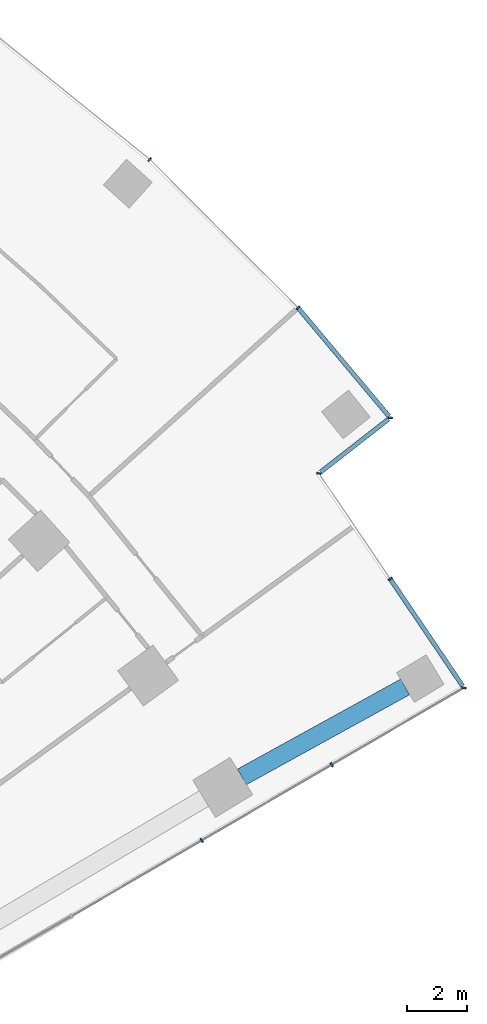
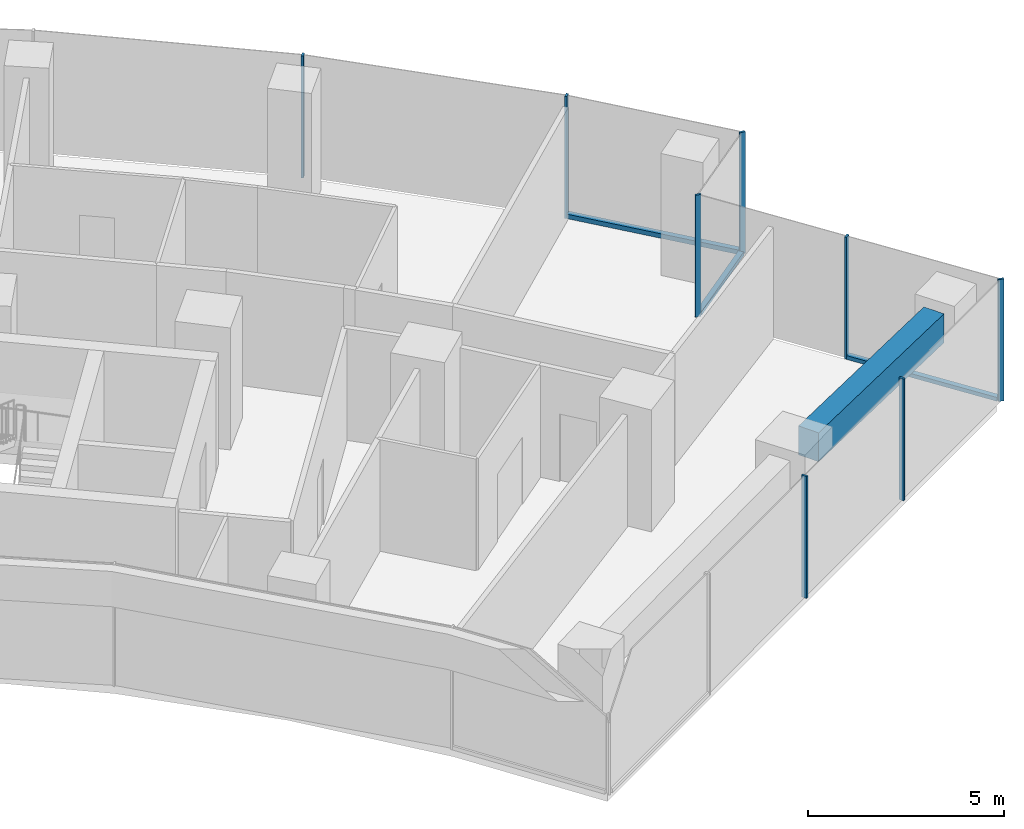
# One storey, part 10 of 21: 11 members, 1 beam, 4 elements without a shape of their own.
"""IFC4 building model written with IfcOpenShell, lengths in metres."""

from ifc_helpers import new_model, si_unit, direction, frame, origin, origin_2d, place, context, subcontext, project, spatial, rectangle, extrude, material, layer, layer_set, material_profile, profile_set, type_object, element, aggregate, save


model = new_model("IFC4")

# Units and contexts
model_context = context("Model", 3, precision=1e-05, world=origin(), true_north=direction((0.0, 1.0)))
body_context = subcontext(model_context, "Body", "Model", "MODEL_VIEW")
ifc_project = project(units=[si_unit("LENGTHUNIT", "METRE"), si_unit("AREAUNIT", "SQUARE_METRE"), si_unit("VOLUMEUNIT", "CUBIC_METRE"), si_unit("PLANEANGLEUNIT", "RADIAN"), si_unit("MASSUNIT", "GRAM", prefix="KILO")], contexts=[model_context])

# Site, building, storey
site_placement = place(None, origin())
site = spatial("IfcSite", under=ifc_project, at=site_placement, CompositionType="ELEMENT")
building_placement = place(site_placement, origin())
building = spatial("IfcBuilding", under=site, at=building_placement, Name="Stone Belt Terrace Tower", CompositionType="ELEMENT")
storey_placement = place(building_placement, frame((0.0, 0.0, 90.800048828125)))
storey = spatial("IfcBuildingStorey", under=building, at=storey_placement, Name="L21", CompositionType="ELEMENT", Elevation=90.800048828125)

# Curtain wall, members
ifc_material_1 = material(Name="Aluminium 6063-T6 anodised frame", Category="aluminium")
ifc_layer_1 = layer(ifc_material_1, 0.14990234375)
ifc_layer_set_1 = layer_set([ifc_layer_1], Name="CW-A unitised convex-face curtain wall")
curtain_wall_type_1 = type_object("IfcCurtainWallType", Name="CW-A unitised convex-face curtain wall", PredefinedType="NOTDEFINED", material=ifc_layer_set_1)
curtain_wall_1_placement = place(storey_placement, origin())
curtain_wall_1 = element("IfcCurtainWall", 1, at=curtain_wall_1_placement, inside=storey, type_object=curtain_wall_type_1, Name="CW-A convex face L21", PredefinedType="NOTDEFINED")
ifc_material_profile_1 = material_profile(ifc_material_1, rectangle(XDim=0.14990234375, YDim=0.06005859375, at=origin_2d()), Name="Aluminium 6063-T6 60x150")
ifc_profile_set_1 = profile_set([ifc_material_profile_1], Name="Aluminium 6063-T6 anodised frame")
member_type_1 = type_object("IfcMemberType", Name="CW-A mullion 60 x 150", PredefinedType="MULLION", material=ifc_profile_set_1)
member_1_placement = place(storey_placement, frame((52.539794921875, 40.89208984375, 0.0), z_axis=(0.0, 0.0, 1.0), x_axis=(-0.994464768622, 0.105070566623, 0.0)))
member_1 = element("IfcMember", 2, at=member_1_placement, type_object=member_type_1, Name="CW-A mullion 1", PredefinedType="MULLION", context=body_context, shape_type="SweptSolid", body=[
    extrude(rectangle(XDim=0.14990234375, YDim=0.06005859375, at=origin_2d()), origin(), (0.0, 0.0, 1.0), 3.800048828125),
])
member_2_placement = place(storey_placement, frame((49.474609375, 44.5478515625, 0.0), z_axis=(0.0, 0.0, 1.0), x_axis=(-0.737400080522, -0.675456231925, 0.0)))
member_2 = element("IfcMember", 3, at=member_2_placement, type_object=member_type_1, Name="CW-A mullion 2", PredefinedType="MULLION", context=body_context, shape_type="SweptSolid", body=[
    extrude(rectangle(XDim=0.14990234375, YDim=0.06005859375, at=origin_2d()), origin(), (0.0, 0.0, 1.0), 3.800048828125),
])
member_3_placement = place(storey_placement, frame((44.54736328125, 49.474853515625, 0.0), z_axis=(0.0, 0.0, 1.0), x_axis=(-0.669130606359, -0.743144825477, 0.0)))
member_3 = element("IfcMember", 4, at=member_3_placement, type_object=member_type_1, Name="CW-A mullion 3", PredefinedType="MULLION", context=body_context, shape_type="SweptSolid", body=[
    extrude(rectangle(XDim=0.14990234375, YDim=0.06005859375, at=origin_2d()), origin(), (0.0, 0.0, 1.0), 3.800048828125),
])
ifc_material_profile_2 = material_profile(ifc_material_1, rectangle(XDim=0.14990234375, YDim=0.139892578125, at=origin_2d()), Name="Aluminium 6063-T6 150x140")
ifc_profile_set_2 = profile_set([ifc_material_profile_2], Name="Aluminium 6063-T6 anodised frame")
member_type_2 = type_object("IfcMemberType", Name="CW-A transom 140 x 150", PredefinedType="USERDEFINED", material=ifc_profile_set_2)
member_4_placement = place(storey_placement, frame((52.49169921875, 40.949462890625, 0.070068359375), z_axis=(-0.642504178028, 0.766282181195, 0.0), x_axis=(-0.766282181195, -0.642504178028, 0.0)))
member_4 = element("IfcMember", 5, at=member_4_placement, type_object=member_type_2, Name="CW-A transom 1.1", ObjectType="TRANSOM", PredefinedType="USERDEFINED", context=body_context, shape_type="SweptSolid", body=[
    extrude(rectangle(XDim=0.14990234375, YDim=0.139892578125, at=origin_2d()), origin(), (0.0, 0.0, 1.0), 4.662841796875),
])
aggregate(curtain_wall_1, [member_1, member_2, member_3, member_4])

ifc_layer_2 = layer(ifc_material_1, 0.14990234375)
ifc_layer_set_2 = layer_set([ifc_layer_2], Name="CW-C stick curtain wall, horn ends and notches")
curtain_wall_type_2 = type_object("IfcCurtainWallType", Name="CW-C stick curtain wall, horn ends and notches", PredefinedType="NOTDEFINED", material=ifc_layer_set_2)
curtain_wall_2_placement = place(storey_placement, origin())
curtain_wall_2 = element("IfcCurtainWall", 6, at=curtain_wall_2_placement, inside=storey, type_object=curtain_wall_type_2, Name="CW-C end face L21", PredefinedType="NOTDEFINED")
ifc_material_profile_3 = material_profile(ifc_material_1, rectangle(XDim=0.14990234375, YDim=0.06005859375, at=origin_2d()), Name="Aluminium 6063-T6 60x150")
ifc_profile_set_3 = profile_set([ifc_material_profile_3], Name="Aluminium 6063-T6 anodised frame")
member_type_3 = type_object("IfcMemberType", Name="CW-C mullion 60 x 150", PredefinedType="MULLION", material=ifc_profile_set_3)
member_5_placement = place(storey_placement, frame((46.2744140625, 26.85009765625, 0.0), z_axis=(0.0, 0.0, 1.0), x_axis=(-0.503080901861, 0.864239322284, 0.0)))
member_5 = element("IfcMember", 7, at=member_5_placement, type_object=member_type_3, Name="CW-C mullion 3", PredefinedType="MULLION", context=body_context, shape_type="SweptSolid", body=[
    extrude(rectangle(XDim=0.14990234375, YDim=0.06005859375, at=origin_2d()), origin(), (0.0, 0.0, 1.0), 3.800048828125),
])
member_6_placement = place(storey_placement, frame((50.595703125, 29.365478515625, 0.0), z_axis=(0.0, 0.0, 1.0), x_axis=(-0.503080901861, 0.864239322284, 0.0)))
member_6 = element("IfcMember", 8, at=member_6_placement, type_object=member_type_3, Name="CW-C mullion 4", PredefinedType="MULLION", context=body_context, shape_type="SweptSolid", body=[
    extrude(rectangle(XDim=0.14990234375, YDim=0.06005859375, at=origin_2d()), origin(), (0.0, 0.0, 1.0), 3.800048828125),
])
aggregate(curtain_wall_2, [member_5, member_6])

curtain_wall_3_placement = place(storey_placement, origin())
curtain_wall_3 = element("IfcCurtainWall", 9, at=curtain_wall_3_placement, inside=storey, type_object=curtain_wall_type_2, Name="CW-C notch face L21", PredefinedType="NOTDEFINED")
member_7_placement = place(storey_placement, frame((54.986328125, 31.921142578125, 0.0), z_axis=(0.0, 0.0, 1.0), x_axis=(-0.974926991266, 0.222524968715, 0.0)))
member_7 = element("IfcMember", 10, at=member_7_placement, type_object=member_type_3, Name="CW-C mullion 1", PredefinedType="MULLION", context=body_context, shape_type="SweptSolid", body=[
    extrude(rectangle(XDim=0.14990234375, YDim=0.06005859375, at=origin_2d()), origin(), (0.0, 0.0, 1.0), 3.800048828125),
])
member_8_placement = place(storey_placement, frame((52.53515625, 35.5439453125, 0.0), z_axis=(0.0, 0.0, 1.0), x_axis=(-0.828244257471, -0.560367245622, 0.0)))
member_8 = element("IfcMember", 11, at=member_8_placement, type_object=member_type_3, Name="CW-C mullion 2", PredefinedType="MULLION", context=body_context, shape_type="SweptSolid", body=[
    extrude(rectangle(XDim=0.14990234375, YDim=0.06005859375, at=origin_2d()), origin(), (0.0, 0.0, 1.0), 3.800048828125),
])

# Curtain wall, member
curtain_wall_4_placement = place(storey_placement, origin())
curtain_wall_4 = element("IfcCurtainWall", 12, at=curtain_wall_4_placement, inside=storey, type_object=curtain_wall_type_2, Name="CW-C notch face L21", PredefinedType="NOTDEFINED")
member_9_placement = place(storey_placement, frame((50.16845703125, 39.0419921875, 0.0), z_axis=(0.0, 0.0, 1.0), x_axis=(-0.987742281651, 0.156093513764, 0.0)))
member_9 = element("IfcMember", 13, at=member_9_placement, type_object=member_type_3, Name="CW-C mullion 1", PredefinedType="MULLION", context=body_context, shape_type="SweptSolid", body=[
    extrude(rectangle(XDim=0.14990234375, YDim=0.06005859375, at=origin_2d()), origin(), (0.0, 0.0, 1.0), 3.800048828125),
])

# Member
ifc_material_profile_4 = material_profile(ifc_material_1, rectangle(XDim=0.14990234375, YDim=0.1201171875, at=origin_2d()), Name="Aluminium 6063-T6 150x120")
ifc_profile_set_4 = profile_set([ifc_material_profile_4], Name="Aluminium 6063-T6 anodised frame")
member_type_4 = type_object("IfcMemberType", Name="CW-C transom 120 x 150", PredefinedType="USERDEFINED", material=ifc_profile_set_4)
member_10_placement = place(storey_placement, frame((54.944091796875, 31.983642578125, 0.06005859375), z_axis=(-0.560388995766, 0.828229541507, 0.0), x_axis=(-0.828229541507, -0.560388995766, 0.0)))
member_10 = element("IfcMember", 14, at=member_10_placement, type_object=member_type_4, Name="CW-C transom 1.1", ObjectType="TRANSOM", PredefinedType="USERDEFINED", context=body_context, shape_type="SweptSolid", body=[
    extrude(rectangle(XDim=0.14990234375, YDim=0.1201171875, at=origin_2d()), origin(), (0.0, 0.0, 1.0), 4.2685546875),
])

aggregate(curtain_wall_3, [member_7, member_8, member_10])

member_11_placement = place(storey_placement, frame((50.22607421875, 39.087158203125, 0.06005859375), z_axis=(0.788505618167, 0.615027552325, 0.0), x_axis=(-0.615027552325, 0.788505618167, 0.0)))
member_11 = element("IfcMember", 15, at=member_11_placement, type_object=member_type_4, Name="CW-C transom 1.1", ObjectType="TRANSOM", PredefinedType="USERDEFINED", context=body_context, shape_type="SweptSolid", body=[
    extrude(rectangle(XDim=0.14990234375, YDim=0.1201171875, at=origin_2d()), origin(), (0.0, 0.0, 1.0), 2.859619140625),
])

aggregate(curtain_wall_4, [member_9, member_11])

# Beam
ifc_material_2 = material(Name="Concrete B60", Category="concrete")
ifc_material_profile_5 = material_profile(ifc_material_2, rectangle(XDim=0.60009765625, YDim=0.89990234375, at=origin_2d()), Name="RC 600x900")
ifc_profile_set_5 = profile_set([ifc_material_profile_5], Name="Concrete B60")
beam_type = type_object("IfcBeamType", Name="Edge beam RC 600x900 B60", PredefinedType="SPANDREL", material=ifc_profile_set_5)
beam_placement = place(storey_placement, frame((47.6083984375, 28.960693359375, 3.030029296875), z_axis=(0.875764462498, 0.482738652094, 0.0), x_axis=(-0.482738652094, 0.875764462498, 0.0)))
element("IfcBeam", 16, at=beam_placement, inside=storey, type_object=beam_type, Name="Edge beam L21 B Q to R", PredefinedType="SPANDREL", context=body_context, shape_type="SweptSolid", body=[
    extrude(rectangle(XDim=0.60009765625, YDim=0.89990234375, at=origin_2d()), origin(), (0.0, 0.0, 1.0), 6.19384765625),
])

save(model, "model.ifc")
